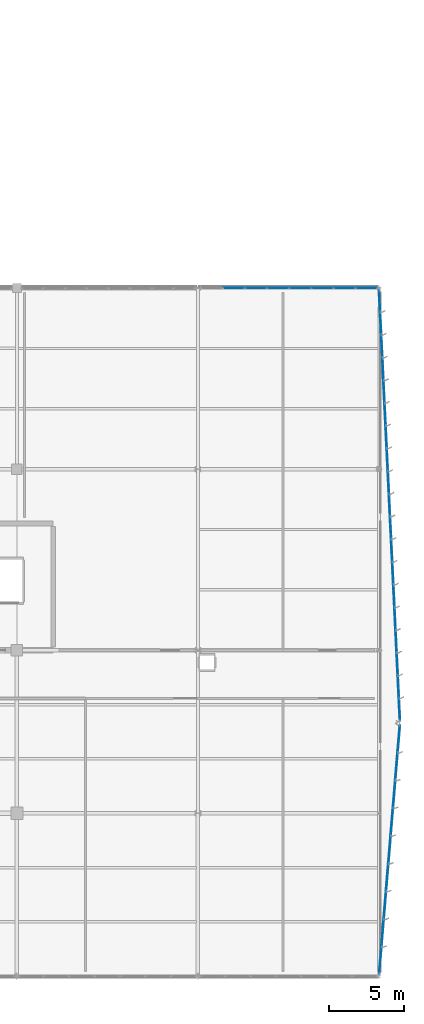
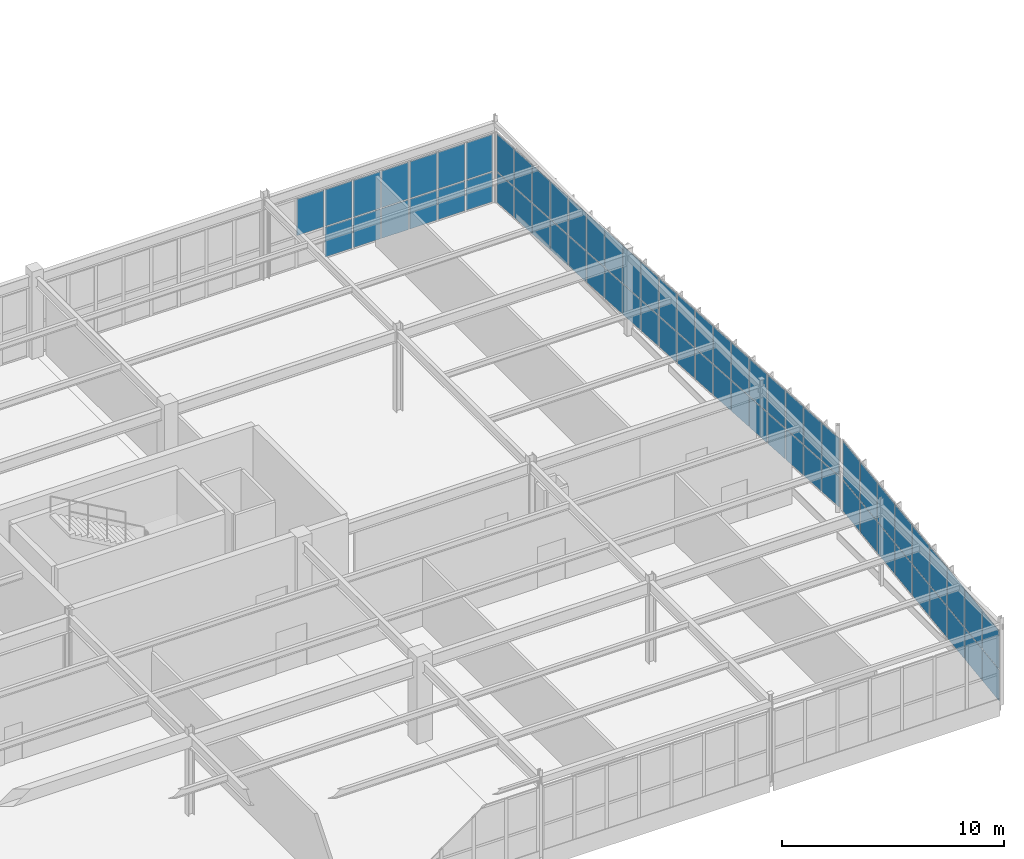
# One storey, part 147 of 226: 69 plates, 3 elements without a shape of their own.
"""IFC4 building model written with IfcOpenShell, lengths in metres."""

from ifc_helpers import new_model, si_unit, direction, frame, origin, origin_2d, place, context, subcontext, project, spatial, rectangle, extrude, material, layer, layer_set, type_object, element, aggregate, save


model = new_model("IFC4")

# Units and contexts
model_context = context("Model", 3, precision=1e-05, world=origin(), true_north=direction((0.0, 1.0)))
body_context = subcontext(model_context, "Body", "Model", "MODEL_VIEW")
ifc_project = project(units=[si_unit("LENGTHUNIT", "METRE"), si_unit("AREAUNIT", "SQUARE_METRE"), si_unit("VOLUMEUNIT", "CUBIC_METRE"), si_unit("PLANEANGLEUNIT", "RADIAN"), si_unit("MASSUNIT", "GRAM", prefix="KILO")], contexts=[model_context])

# Site, building, storey
site_placement = place(None, origin())
site = spatial("IfcSite", under=ifc_project, at=site_placement, CompositionType="ELEMENT")
building_placement = place(site_placement, origin())
building = spatial("IfcBuilding", under=site, at=building_placement, Name="Tarnwether General Hospital", CompositionType="ELEMENT")
storey_placement = place(building_placement, frame((0.0, 0.0, 4.800048828125)))
storey = spatial("IfcBuildingStorey", under=building, at=storey_placement, Name="L01", CompositionType="ELEMENT", Elevation=4.800048828125)

# Curtain wall, plates
ifc_material_1 = material(Name="Anodised aluminium", Category="aluminium")
ifc_layer_1 = layer(ifc_material_1, 0.159912109375)
ifc_layer_set_1 = layer_set([ifc_layer_1], Name="Anodised aluminium")
curtain_wall_type_1 = type_object("IfcCurtainWallType", Name="CW-18", PredefinedType="NOTDEFINED", material=ifc_layer_set_1)
curtain_wall_1_placement = place(storey_placement, origin())
curtain_wall_1 = element("IfcCurtainWall", 1, at=curtain_wall_1_placement, inside=storey, type_object=curtain_wall_type_1, Name="Curtain Wall CWG-L01-1802_456-0382", PredefinedType="NOTDEFINED")
ifc_material_2 = material(Name="Double glazed low-E glass", Category="glass")
ifc_layer_2 = layer(ifc_material_2, 0.028076171875)
ifc_layer_set_2 = layer_set([ifc_layer_2], Name="Double glazed low-E glass")
plate_type = type_object("IfcPlateType", Name="PT-CWP1", PredefinedType="CURTAIN_PANEL", material=ifc_layer_set_2)
plate_1_placement = place(storey_placement, frame((182.370849609375, 45.60009765625, 1.75244140625), z_axis=(0.0, 0.0, 1.0), x_axis=(1.0, 0.0, 0.0)))
plate_1 = element("IfcPlate", 2, at=plate_1_placement, type_object=plate_type, Name="CW-18 panel 2.2", PredefinedType="CURTAIN_PANEL", context=body_context, shape_type="SweptSolid", body=[
    extrude(rectangle(XDim=1.408447265625, YDim=0.028076171875, at=origin_2d()), origin(), (0.0, 0.0, 1.0), 2.015380859375),
])
plate_2_placement = place(storey_placement, frame((183.83935546875, 45.60009765625, 0.06005859375), z_axis=(0.0, 0.0, 1.0), x_axis=(1.0, 0.0, 0.0)))
plate_2 = element("IfcPlate", 3, at=plate_2_placement, type_object=plate_type, Name="CW-18 panel 3.1", PredefinedType="CURTAIN_PANEL", context=body_context, shape_type="SweptSolid", body=[
    extrude(rectangle(XDim=1.408447265625, YDim=0.028076171875, at=origin_2d()), origin(), (0.0, 0.0, 1.0), 1.632568359375),
])
plate_3_placement = place(storey_placement, frame((183.83935546875, 45.60009765625, 1.75244140625), z_axis=(0.0, 0.0, 1.0), x_axis=(1.0, 0.0, 0.0)))
plate_3 = element("IfcPlate", 4, at=plate_3_placement, type_object=plate_type, Name="CW-18 panel 3.2", PredefinedType="CURTAIN_PANEL", context=body_context, shape_type="SweptSolid", body=[
    extrude(rectangle(XDim=1.408447265625, YDim=0.028076171875, at=origin_2d()), origin(), (0.0, 0.0, 1.0), 2.015380859375),
])
plate_4_placement = place(storey_placement, frame((185.307861328125, 45.60009765625, 0.06005859375), z_axis=(0.0, 0.0, 1.0), x_axis=(1.0, 0.0, 0.0)))
plate_4 = element("IfcPlate", 5, at=plate_4_placement, type_object=plate_type, Name="CW-18 panel 4.1", PredefinedType="CURTAIN_PANEL", context=body_context, shape_type="SweptSolid", body=[
    extrude(rectangle(XDim=1.408447265625, YDim=0.028076171875, at=origin_2d()), origin(), (0.0, 0.0, 1.0), 1.632568359375),
])
plate_5_placement = place(storey_placement, frame((185.307861328125, 45.60009765625, 1.75244140625), z_axis=(0.0, 0.0, 1.0), x_axis=(1.0, 0.0, 0.0)))
plate_5 = element("IfcPlate", 6, at=plate_5_placement, type_object=plate_type, Name="CW-18 panel 4.2", PredefinedType="CURTAIN_PANEL", context=body_context, shape_type="SweptSolid", body=[
    extrude(rectangle(XDim=1.408447265625, YDim=0.028076171875, at=origin_2d()), origin(), (0.0, 0.0, 1.0), 2.015380859375),
])
plate_6_placement = place(storey_placement, frame((186.7763671875, 45.60009765625, 0.06005859375), z_axis=(0.0, 0.0, 1.0), x_axis=(1.0, 0.0, 0.0)))
plate_6 = element("IfcPlate", 7, at=plate_6_placement, type_object=plate_type, Name="CW-18 panel 5.1", PredefinedType="CURTAIN_PANEL", context=body_context, shape_type="SweptSolid", body=[
    extrude(rectangle(XDim=1.408447265625, YDim=0.028076171875, at=origin_2d()), origin(), (0.0, 0.0, 1.0), 1.632568359375),
])
plate_7_placement = place(storey_placement, frame((186.7763671875, 45.60009765625, 1.75244140625), z_axis=(0.0, 0.0, 1.0), x_axis=(1.0, 0.0, 0.0)))
plate_7 = element("IfcPlate", 8, at=plate_7_placement, type_object=plate_type, Name="CW-18 panel 5.2", PredefinedType="CURTAIN_PANEL", context=body_context, shape_type="SweptSolid", body=[
    extrude(rectangle(XDim=1.408447265625, YDim=0.028076171875, at=origin_2d()), origin(), (0.0, 0.0, 1.0), 2.015380859375),
])
plate_8_placement = place(storey_placement, frame((188.24462890625, 45.60009765625, 0.06005859375), z_axis=(0.0, 0.0, 1.0), x_axis=(1.0, 0.0, 0.0)))
plate_8 = element("IfcPlate", 9, at=plate_8_placement, type_object=plate_type, Name="CW-18 panel 6.1", PredefinedType="CURTAIN_PANEL", context=body_context, shape_type="SweptSolid", body=[
    extrude(rectangle(XDim=1.408447265625, YDim=0.028076171875, at=origin_2d()), origin(), (0.0, 0.0, 1.0), 1.632568359375),
])
plate_9_placement = place(storey_placement, frame((188.24462890625, 45.60009765625, 1.75244140625), z_axis=(0.0, 0.0, 1.0), x_axis=(1.0, 0.0, 0.0)))
plate_9 = element("IfcPlate", 10, at=plate_9_placement, type_object=plate_type, Name="CW-18 panel 6.2", PredefinedType="CURTAIN_PANEL", context=body_context, shape_type="SweptSolid", body=[
    extrude(rectangle(XDim=1.408447265625, YDim=0.028076171875, at=origin_2d()), origin(), (0.0, 0.0, 1.0), 2.015380859375),
])
plate_10_placement = place(storey_placement, frame((189.713134765625, 45.60009765625, 0.06005859375), z_axis=(0.0, 0.0, 1.0), x_axis=(1.0, 0.0, 0.0)))
plate_10 = element("IfcPlate", 11, at=plate_10_placement, type_object=plate_type, Name="CW-18 panel 7.1", PredefinedType="CURTAIN_PANEL", context=body_context, shape_type="SweptSolid", body=[
    extrude(rectangle(XDim=1.408447265625, YDim=0.028076171875, at=origin_2d()), origin(), (0.0, 0.0, 1.0), 1.632568359375),
])
plate_11_placement = place(storey_placement, frame((189.713134765625, 45.60009765625, 1.75244140625), z_axis=(0.0, 0.0, 1.0), x_axis=(1.0, 0.0, 0.0)))
plate_11 = element("IfcPlate", 12, at=plate_11_placement, type_object=plate_type, Name="CW-18 panel 7.2", PredefinedType="CURTAIN_PANEL", context=body_context, shape_type="SweptSolid", body=[
    extrude(rectangle(XDim=1.408447265625, YDim=0.028076171875, at=origin_2d()), origin(), (0.0, 0.0, 1.0), 2.015380859375),
])
plate_12_placement = place(storey_placement, frame((191.166748046875, 45.60009765625, 0.06005859375), z_axis=(0.0, 0.0, 1.0), x_axis=(1.0, 0.0, 0.0)))
plate_12 = element("IfcPlate", 13, at=plate_12_placement, type_object=plate_type, Name="CW-18 panel 8.1", PredefinedType="CURTAIN_PANEL", context=body_context, shape_type="SweptSolid", body=[
    extrude(rectangle(XDim=1.37841796875, YDim=0.028076171875, at=origin_2d()), origin(), (0.0, 0.0, 1.0), 1.632568359375),
])
plate_13_placement = place(storey_placement, frame((191.166748046875, 45.60009765625, 1.75244140625), z_axis=(0.0, 0.0, 1.0), x_axis=(1.0, 0.0, 0.0)))
plate_13 = element("IfcPlate", 14, at=plate_13_placement, type_object=plate_type, Name="CW-18 panel 8.2", PredefinedType="CURTAIN_PANEL", context=body_context, shape_type="SweptSolid", body=[
    extrude(rectangle(XDim=1.37841796875, YDim=0.028076171875, at=origin_2d()), origin(), (0.0, 0.0, 1.0), 2.015380859375),
])
aggregate(curtain_wall_1, [plate_1, plate_2, plate_3, plate_4, plate_5, plate_6, plate_7, plate_8, plate_9, plate_10, plate_11, plate_12, plate_13])

curtain_wall_2_placement = place(storey_placement, origin())
curtain_wall_2 = element("IfcCurtainWall", 15, at=curtain_wall_2_placement, inside=storey, type_object=curtain_wall_type_1, Name="Curtain Wall CWG-L01-1920_455-0387", PredefinedType="NOTDEFINED")
plate_14_placement = place(storey_placement, frame((192.041259765625, 44.74169921875, 0.06005859375), z_axis=(0.0, 0.0, 1.0), x_axis=(0.04856951298, -0.998819804774, 0.0)))
plate_14 = element("IfcPlate", 16, at=plate_14_placement, type_object=plate_type, Name="CW-18 panel 1.1", PredefinedType="CURTAIN_PANEL", context=body_context, shape_type="SweptSolid", body=[
    extrude(rectangle(XDim=1.416259765625, YDim=0.028076171875, at=origin_2d()), origin(), (0.0, 0.0, 1.0), 1.66357421875),
])
plate_15_placement = place(storey_placement, frame((192.041259765625, 44.74169921875, 1.78369140625), z_axis=(0.0, 0.0, 1.0), x_axis=(0.04856951298, -0.998819804774, 0.0)))
plate_15 = element("IfcPlate", 17, at=plate_15_placement, type_object=plate_type, Name="CW-18 panel 1.2", PredefinedType="CURTAIN_PANEL", context=body_context, shape_type="SweptSolid", body=[
    extrude(rectangle(XDim=1.416259765625, YDim=0.028076171875, at=origin_2d()), origin(), (0.0, 0.0, 1.0), 2.053466796875),
])
plate_16_placement = place(storey_placement, frame((192.11376953125, 43.252197265625, 0.06005859375), z_axis=(0.0, 0.0, 1.0), x_axis=(0.04856951298, -0.998819804774, 0.0)))
plate_16 = element("IfcPlate", 18, at=plate_16_placement, type_object=plate_type, Name="CW-18 panel 2.1", PredefinedType="CURTAIN_PANEL", context=body_context, shape_type="SweptSolid", body=[
    extrude(rectangle(XDim=1.4462890625, YDim=0.028076171875, at=origin_2d()), origin(), (0.0, 0.0, 1.0), 1.66357421875),
])
plate_17_placement = place(storey_placement, frame((192.11376953125, 43.252197265625, 1.78369140625), z_axis=(0.0, 0.0, 1.0), x_axis=(0.04856951298, -0.998819804774, 0.0)))
plate_17 = element("IfcPlate", 19, at=plate_17_placement, type_object=plate_type, Name="CW-18 panel 2.2", PredefinedType="CURTAIN_PANEL", context=body_context, shape_type="SweptSolid", body=[
    extrude(rectangle(XDim=1.4462890625, YDim=0.028076171875, at=origin_2d()), origin(), (0.0, 0.0, 1.0), 2.053466796875),
])
plate_18_placement = place(storey_placement, frame((192.18701171875, 41.747802734375, 0.06005859375), z_axis=(0.0, 0.0, 1.0), x_axis=(0.04856951298, -0.998819804774, 0.0)))
plate_18 = element("IfcPlate", 20, at=plate_18_placement, type_object=plate_type, Name="CW-18 panel 3.1", PredefinedType="CURTAIN_PANEL", context=body_context, shape_type="SweptSolid", body=[
    extrude(rectangle(XDim=1.4462890625, YDim=0.028076171875, at=origin_2d()), origin(), (0.0, 0.0, 1.0), 1.66357421875),
])
plate_19_placement = place(storey_placement, frame((192.18701171875, 41.747802734375, 1.78369140625), z_axis=(0.0, 0.0, 1.0), x_axis=(0.04856951298, -0.998819804774, 0.0)))
plate_19 = element("IfcPlate", 21, at=plate_19_placement, type_object=plate_type, Name="CW-18 panel 3.2", PredefinedType="CURTAIN_PANEL", context=body_context, shape_type="SweptSolid", body=[
    extrude(rectangle(XDim=1.4462890625, YDim=0.028076171875, at=origin_2d()), origin(), (0.0, 0.0, 1.0), 2.053466796875),
])
plate_20_placement = place(storey_placement, frame((192.260009765625, 40.243408203125, 0.06005859375), z_axis=(0.0, 0.0, 1.0), x_axis=(0.04856951298, -0.998819804774, 0.0)))
plate_20 = element("IfcPlate", 22, at=plate_20_placement, type_object=plate_type, Name="CW-18 panel 4.1", PredefinedType="CURTAIN_PANEL", context=body_context, shape_type="SweptSolid", body=[
    extrude(rectangle(XDim=1.4462890625, YDim=0.028076171875, at=origin_2d()), origin(), (0.0, 0.0, 1.0), 1.66357421875),
])
plate_21_placement = place(storey_placement, frame((192.260009765625, 40.243408203125, 1.78369140625), z_axis=(0.0, 0.0, 1.0), x_axis=(0.04856951298, -0.998819804774, 0.0)))
plate_21 = element("IfcPlate", 23, at=plate_21_placement, type_object=plate_type, Name="CW-18 panel 4.2", PredefinedType="CURTAIN_PANEL", context=body_context, shape_type="SweptSolid", body=[
    extrude(rectangle(XDim=1.4462890625, YDim=0.028076171875, at=origin_2d()), origin(), (0.0, 0.0, 1.0), 2.053466796875),
])
plate_22_placement = place(storey_placement, frame((192.333251953125, 38.73876953125, 0.06005859375), z_axis=(0.0, 0.0, 1.0), x_axis=(0.04856951298, -0.998819804774, 0.0)))
plate_22 = element("IfcPlate", 24, at=plate_22_placement, type_object=plate_type, Name="CW-18 panel 5.1", PredefinedType="CURTAIN_PANEL", context=body_context, shape_type="SweptSolid", body=[
    extrude(rectangle(XDim=1.4462890625, YDim=0.028076171875, at=origin_2d()), origin(), (0.0, 0.0, 1.0), 1.66357421875),
])
plate_23_placement = place(storey_placement, frame((192.333251953125, 38.73876953125, 1.78369140625), z_axis=(0.0, 0.0, 1.0), x_axis=(0.04856951298, -0.998819804774, 0.0)))
plate_23 = element("IfcPlate", 25, at=plate_23_placement, type_object=plate_type, Name="CW-18 panel 5.2", PredefinedType="CURTAIN_PANEL", context=body_context, shape_type="SweptSolid", body=[
    extrude(rectangle(XDim=1.4462890625, YDim=0.028076171875, at=origin_2d()), origin(), (0.0, 0.0, 1.0), 2.053466796875),
])
plate_24_placement = place(storey_placement, frame((192.40625, 37.234375, 0.06005859375), z_axis=(0.0, 0.0, 1.0), x_axis=(0.04856951298, -0.998819804774, 0.0)))
plate_24 = element("IfcPlate", 26, at=plate_24_placement, type_object=plate_type, Name="CW-18 panel 6.1", PredefinedType="CURTAIN_PANEL", context=body_context, shape_type="SweptSolid", body=[
    extrude(rectangle(XDim=1.4462890625, YDim=0.028076171875, at=origin_2d()), origin(), (0.0, 0.0, 1.0), 1.66357421875),
])
plate_25_placement = place(storey_placement, frame((192.40625, 37.234375, 1.78369140625), z_axis=(0.0, 0.0, 1.0), x_axis=(0.04856951298, -0.998819804774, 0.0)))
plate_25 = element("IfcPlate", 27, at=plate_25_placement, type_object=plate_type, Name="CW-18 panel 6.2", PredefinedType="CURTAIN_PANEL", context=body_context, shape_type="SweptSolid", body=[
    extrude(rectangle(XDim=1.4462890625, YDim=0.028076171875, at=origin_2d()), origin(), (0.0, 0.0, 1.0), 2.053466796875),
])
plate_26_placement = place(storey_placement, frame((192.4794921875, 35.72998046875, 0.06005859375), z_axis=(0.0, 0.0, 1.0), x_axis=(0.04856951298, -0.998819804774, 0.0)))
plate_26 = element("IfcPlate", 28, at=plate_26_placement, type_object=plate_type, Name="CW-18 panel 7.1", PredefinedType="CURTAIN_PANEL", context=body_context, shape_type="SweptSolid", body=[
    extrude(rectangle(XDim=1.4462890625, YDim=0.028076171875, at=origin_2d()), origin(), (0.0, 0.0, 1.0), 1.66357421875),
])
plate_27_placement = place(storey_placement, frame((192.4794921875, 35.72998046875, 1.78369140625), z_axis=(0.0, 0.0, 1.0), x_axis=(0.04856951298, -0.998819804774, 0.0)))
plate_27 = element("IfcPlate", 29, at=plate_27_placement, type_object=plate_type, Name="CW-18 panel 7.2", PredefinedType="CURTAIN_PANEL", context=body_context, shape_type="SweptSolid", body=[
    extrude(rectangle(XDim=1.4462890625, YDim=0.028076171875, at=origin_2d()), origin(), (0.0, 0.0, 1.0), 2.053466796875),
])
plate_28_placement = place(storey_placement, frame((192.552734375, 34.225341796875, 0.06005859375), z_axis=(0.0, 0.0, 1.0), x_axis=(0.04856951298, -0.998819804774, 0.0)))
plate_28 = element("IfcPlate", 30, at=plate_28_placement, type_object=plate_type, Name="CW-18 panel 8.1", PredefinedType="CURTAIN_PANEL", context=body_context, shape_type="SweptSolid", body=[
    extrude(rectangle(XDim=1.4462890625, YDim=0.028076171875, at=origin_2d()), origin(), (0.0, 0.0, 1.0), 1.66357421875),
])
plate_29_placement = place(storey_placement, frame((192.552734375, 34.225341796875, 1.78369140625), z_axis=(0.0, 0.0, 1.0), x_axis=(0.04856951298, -0.998819804774, 0.0)))
plate_29 = element("IfcPlate", 31, at=plate_29_placement, type_object=plate_type, Name="CW-18 panel 8.2", PredefinedType="CURTAIN_PANEL", context=body_context, shape_type="SweptSolid", body=[
    extrude(rectangle(XDim=1.4462890625, YDim=0.028076171875, at=origin_2d()), origin(), (0.0, 0.0, 1.0), 2.053466796875),
])
plate_30_placement = place(storey_placement, frame((192.625732421875, 32.720947265625, 0.06005859375), z_axis=(0.0, 0.0, 1.0), x_axis=(0.04856951298, -0.998819804774, 0.0)))
plate_30 = element("IfcPlate", 32, at=plate_30_placement, type_object=plate_type, Name="CW-18 panel 9.1", PredefinedType="CURTAIN_PANEL", context=body_context, shape_type="SweptSolid", body=[
    extrude(rectangle(XDim=1.4462890625, YDim=0.028076171875, at=origin_2d()), origin(), (0.0, 0.0, 1.0), 1.66357421875),
])
plate_31_placement = place(storey_placement, frame((192.625732421875, 32.720947265625, 1.78369140625), z_axis=(0.0, 0.0, 1.0), x_axis=(0.04856951298, -0.998819804774, 0.0)))
plate_31 = element("IfcPlate", 33, at=plate_31_placement, type_object=plate_type, Name="CW-18 panel 9.2", PredefinedType="CURTAIN_PANEL", context=body_context, shape_type="SweptSolid", body=[
    extrude(rectangle(XDim=1.4462890625, YDim=0.028076171875, at=origin_2d()), origin(), (0.0, 0.0, 1.0), 2.053466796875),
])
plate_32_placement = place(storey_placement, frame((192.698974609375, 31.216552734375, 0.06005859375), z_axis=(0.0, 0.0, 1.0), x_axis=(0.04856951298, -0.998819804774, 0.0)))
plate_32 = element("IfcPlate", 34, at=plate_32_placement, type_object=plate_type, Name="CW-18 panel 10.1", PredefinedType="CURTAIN_PANEL", context=body_context, shape_type="SweptSolid", body=[
    extrude(rectangle(XDim=1.4462890625, YDim=0.028076171875, at=origin_2d()), origin(), (0.0, 0.0, 1.0), 1.66357421875),
])
plate_33_placement = place(storey_placement, frame((192.698974609375, 31.216552734375, 1.78369140625), z_axis=(0.0, 0.0, 1.0), x_axis=(0.04856951298, -0.998819804774, 0.0)))
plate_33 = element("IfcPlate", 35, at=plate_33_placement, type_object=plate_type, Name="CW-18 panel 10.2", PredefinedType="CURTAIN_PANEL", context=body_context, shape_type="SweptSolid", body=[
    extrude(rectangle(XDim=1.4462890625, YDim=0.028076171875, at=origin_2d()), origin(), (0.0, 0.0, 1.0), 2.053466796875),
])
plate_34_placement = place(storey_placement, frame((192.772216796875, 29.7119140625, 0.06005859375), z_axis=(0.0, 0.0, 1.0), x_axis=(0.04856951298, -0.998819804774, 0.0)))
plate_34 = element("IfcPlate", 36, at=plate_34_placement, type_object=plate_type, Name="CW-18 panel 11.1", PredefinedType="CURTAIN_PANEL", context=body_context, shape_type="SweptSolid", body=[
    extrude(rectangle(XDim=1.4462890625, YDim=0.028076171875, at=origin_2d()), origin(), (0.0, 0.0, 1.0), 1.66357421875),
])
plate_35_placement = place(storey_placement, frame((192.772216796875, 29.7119140625, 1.78369140625), z_axis=(0.0, 0.0, 1.0), x_axis=(0.04856951298, -0.998819804774, 0.0)))
plate_35 = element("IfcPlate", 37, at=plate_35_placement, type_object=plate_type, Name="CW-18 panel 11.2", PredefinedType="CURTAIN_PANEL", context=body_context, shape_type="SweptSolid", body=[
    extrude(rectangle(XDim=1.4462890625, YDim=0.028076171875, at=origin_2d()), origin(), (0.0, 0.0, 1.0), 2.053466796875),
])
plate_36_placement = place(storey_placement, frame((192.84521484375, 28.20751953125, 0.06005859375), z_axis=(0.0, 0.0, 1.0), x_axis=(0.04856951298, -0.998819804774, 0.0)))
plate_36 = element("IfcPlate", 38, at=plate_36_placement, type_object=plate_type, Name="CW-18 panel 12.1", PredefinedType="CURTAIN_PANEL", context=body_context, shape_type="SweptSolid", body=[
    extrude(rectangle(XDim=1.4462890625, YDim=0.028076171875, at=origin_2d()), origin(), (0.0, 0.0, 1.0), 1.66357421875),
])
plate_37_placement = place(storey_placement, frame((192.84521484375, 28.20751953125, 1.78369140625), z_axis=(0.0, 0.0, 1.0), x_axis=(0.04856951298, -0.998819804774, 0.0)))
plate_37 = element("IfcPlate", 39, at=plate_37_placement, type_object=plate_type, Name="CW-18 panel 12.2", PredefinedType="CURTAIN_PANEL", context=body_context, shape_type="SweptSolid", body=[
    extrude(rectangle(XDim=1.4462890625, YDim=0.028076171875, at=origin_2d()), origin(), (0.0, 0.0, 1.0), 2.053466796875),
])
plate_38_placement = place(storey_placement, frame((192.91845703125, 26.703125, 0.06005859375), z_axis=(0.0, 0.0, 1.0), x_axis=(0.04856951298, -0.998819804774, 0.0)))
plate_38 = element("IfcPlate", 40, at=plate_38_placement, type_object=plate_type, Name="CW-18 panel 13.1", PredefinedType="CURTAIN_PANEL", context=body_context, shape_type="SweptSolid", body=[
    extrude(rectangle(XDim=1.4462890625, YDim=0.028076171875, at=origin_2d()), origin(), (0.0, 0.0, 1.0), 1.66357421875),
])
plate_39_placement = place(storey_placement, frame((192.91845703125, 26.703125, 1.78369140625), z_axis=(0.0, 0.0, 1.0), x_axis=(0.04856951298, -0.998819804774, 0.0)))
plate_39 = element("IfcPlate", 41, at=plate_39_placement, type_object=plate_type, Name="CW-18 panel 13.2", PredefinedType="CURTAIN_PANEL", context=body_context, shape_type="SweptSolid", body=[
    extrude(rectangle(XDim=1.4462890625, YDim=0.028076171875, at=origin_2d()), origin(), (0.0, 0.0, 1.0), 2.053466796875),
])
plate_40_placement = place(storey_placement, frame((192.99169921875, 25.198486328125, 0.06005859375), z_axis=(0.0, 0.0, 1.0), x_axis=(0.04856951298, -0.998819804774, 0.0)))
plate_40 = element("IfcPlate", 42, at=plate_40_placement, type_object=plate_type, Name="CW-18 panel 14.1", PredefinedType="CURTAIN_PANEL", context=body_context, shape_type="SweptSolid", body=[
    extrude(rectangle(XDim=1.4462890625, YDim=0.028076171875, at=origin_2d()), origin(), (0.0, 0.0, 1.0), 1.66357421875),
])
plate_41_placement = place(storey_placement, frame((192.99169921875, 25.198486328125, 1.78369140625), z_axis=(0.0, 0.0, 1.0), x_axis=(0.04856951298, -0.998819804774, 0.0)))
plate_41 = element("IfcPlate", 43, at=plate_41_placement, type_object=plate_type, Name="CW-18 panel 14.2", PredefinedType="CURTAIN_PANEL", context=body_context, shape_type="SweptSolid", body=[
    extrude(rectangle(XDim=1.4462890625, YDim=0.028076171875, at=origin_2d()), origin(), (0.0, 0.0, 1.0), 2.053466796875),
])
plate_42_placement = place(storey_placement, frame((193.064697265625, 23.694091796875, 0.06005859375), z_axis=(0.0, 0.0, 1.0), x_axis=(0.04856951298, -0.998819804774, 0.0)))
plate_42 = element("IfcPlate", 44, at=plate_42_placement, type_object=plate_type, Name="CW-18 panel 15.1", PredefinedType="CURTAIN_PANEL", context=body_context, shape_type="SweptSolid", body=[
    extrude(rectangle(XDim=1.4462890625, YDim=0.028076171875, at=origin_2d()), origin(), (0.0, 0.0, 1.0), 1.66357421875),
])
plate_43_placement = place(storey_placement, frame((193.064697265625, 23.694091796875, 1.78369140625), z_axis=(0.0, 0.0, 1.0), x_axis=(0.04856951298, -0.998819804774, 0.0)))
plate_43 = element("IfcPlate", 45, at=plate_43_placement, type_object=plate_type, Name="CW-18 panel 15.2", PredefinedType="CURTAIN_PANEL", context=body_context, shape_type="SweptSolid", body=[
    extrude(rectangle(XDim=1.4462890625, YDim=0.028076171875, at=origin_2d()), origin(), (0.0, 0.0, 1.0), 2.053466796875),
])
plate_44_placement = place(storey_placement, frame((193.137939453125, 22.189697265625, 0.06005859375), z_axis=(0.0, 0.0, 1.0), x_axis=(0.04856951298, -0.998819804774, 0.0)))
plate_44 = element("IfcPlate", 46, at=plate_44_placement, type_object=plate_type, Name="CW-18 panel 16.1", PredefinedType="CURTAIN_PANEL", context=body_context, shape_type="SweptSolid", body=[
    extrude(rectangle(XDim=1.4462890625, YDim=0.028076171875, at=origin_2d()), origin(), (0.0, 0.0, 1.0), 1.66357421875),
])
plate_45_placement = place(storey_placement, frame((193.137939453125, 22.189697265625, 1.78369140625), z_axis=(0.0, 0.0, 1.0), x_axis=(0.04856951298, -0.998819804774, 0.0)))
plate_45 = element("IfcPlate", 47, at=plate_45_placement, type_object=plate_type, Name="CW-18 panel 16.2", PredefinedType="CURTAIN_PANEL", context=body_context, shape_type="SweptSolid", body=[
    extrude(rectangle(XDim=1.4462890625, YDim=0.028076171875, at=origin_2d()), origin(), (0.0, 0.0, 1.0), 2.053466796875),
])
plate_46_placement = place(storey_placement, frame((193.211181640625, 20.685302734375, 0.06005859375), z_axis=(0.0, 0.0, 1.0), x_axis=(0.04856951298, -0.998819804774, 0.0)))
plate_46 = element("IfcPlate", 48, at=plate_46_placement, type_object=plate_type, Name="CW-18 panel 17.1", PredefinedType="CURTAIN_PANEL", context=body_context, shape_type="SweptSolid", body=[
    extrude(rectangle(XDim=1.4462890625, YDim=0.028076171875, at=origin_2d()), origin(), (0.0, 0.0, 1.0), 1.66357421875),
])
plate_47_placement = place(storey_placement, frame((193.211181640625, 20.685302734375, 1.78369140625), z_axis=(0.0, 0.0, 1.0), x_axis=(0.04856951298, -0.998819804774, 0.0)))
plate_47 = element("IfcPlate", 49, at=plate_47_placement, type_object=plate_type, Name="CW-18 panel 17.2", PredefinedType="CURTAIN_PANEL", context=body_context, shape_type="SweptSolid", body=[
    extrude(rectangle(XDim=1.4462890625, YDim=0.028076171875, at=origin_2d()), origin(), (0.0, 0.0, 1.0), 2.053466796875),
])
plate_48_placement = place(storey_placement, frame((193.2841796875, 19.1806640625, 0.06005859375), z_axis=(0.0, 0.0, 1.0), x_axis=(0.04856951298, -0.998819804774, 0.0)))
plate_48 = element("IfcPlate", 50, at=plate_48_placement, type_object=plate_type, Name="CW-18 panel 18.1", PredefinedType="CURTAIN_PANEL", context=body_context, shape_type="SweptSolid", body=[
    extrude(rectangle(XDim=1.4462890625, YDim=0.028076171875, at=origin_2d()), origin(), (0.0, 0.0, 1.0), 1.66357421875),
])
plate_49_placement = place(storey_placement, frame((193.2841796875, 19.1806640625, 1.78369140625), z_axis=(0.0, 0.0, 1.0), x_axis=(0.04856951298, -0.998819804774, 0.0)))
plate_49 = element("IfcPlate", 51, at=plate_49_placement, type_object=plate_type, Name="CW-18 panel 18.2", PredefinedType="CURTAIN_PANEL", context=body_context, shape_type="SweptSolid", body=[
    extrude(rectangle(XDim=1.4462890625, YDim=0.028076171875, at=origin_2d()), origin(), (0.0, 0.0, 1.0), 2.053466796875),
])
plate_50_placement = place(storey_placement, frame((193.356689453125, 17.691162109375, 0.06005859375), z_axis=(0.0, 0.0, 1.0), x_axis=(0.04856951298, -0.998819804774, 0.0)))
plate_50 = element("IfcPlate", 52, at=plate_50_placement, type_object=plate_type, Name="CW-18 panel 19.1", PredefinedType="CURTAIN_PANEL", context=body_context, shape_type="SweptSolid", body=[
    extrude(rectangle(XDim=1.416259765625, YDim=0.028076171875, at=origin_2d()), origin(), (0.0, 0.0, 1.0), 1.66357421875),
])
plate_51_placement = place(storey_placement, frame((193.356689453125, 17.691162109375, 1.78369140625), z_axis=(0.0, 0.0, 1.0), x_axis=(0.04856951298, -0.998819804774, 0.0)))
plate_51 = element("IfcPlate", 53, at=plate_51_placement, type_object=plate_type, Name="CW-18 panel 19.2", PredefinedType="CURTAIN_PANEL", context=body_context, shape_type="SweptSolid", body=[
    extrude(rectangle(XDim=1.416259765625, YDim=0.028076171875, at=origin_2d()), origin(), (0.0, 0.0, 1.0), 2.053466796875),
])
aggregate(curtain_wall_2, [plate_14, plate_15, plate_16, plate_17, plate_18, plate_19, plate_20, plate_21, plate_22, plate_23, plate_24, plate_25, plate_26, plate_27, plate_28, plate_29, plate_30, plate_31, plate_32, plate_33, plate_34, plate_35, plate_36, plate_37, plate_38, plate_39, plate_40, plate_41, plate_42, plate_43, plate_44, plate_45, plate_46, plate_47, plate_48, plate_49, plate_50, plate_51])

ifc_material_3 = material(Name="Anodised aluminium", Category="aluminium")
ifc_layer_3 = layer(ifc_material_3, 0.159912109375)
ifc_layer_set_3 = layer_set([ifc_layer_3], Name="Anodised aluminium")
curtain_wall_type_2 = type_object("IfcCurtainWallType", Name="CW-19", PredefinedType="NOTDEFINED", material=ifc_layer_set_3)
curtain_wall_3_placement = place(storey_placement, origin())
curtain_wall_3 = element("IfcCurtainWall", 54, at=curtain_wall_3_placement, inside=storey, type_object=curtain_wall_type_2, Name="Curtain Wall CWG-L01-1934_167-0388", PredefinedType="NOTDEFINED")
plate_52_placement = place(storey_placement, frame((193.31103515625, 15.731689453125, 0.06005859375), z_axis=(0.0, 0.0, 1.0), x_axis=(-0.083040496309, -0.996546173528, 0.0)))
plate_52 = element("IfcPlate", 55, at=plate_52_placement, type_object=plate_type, Name="CW-19 panel 1.1", PredefinedType="CURTAIN_PANEL", context=body_context, shape_type="SweptSolid", body=[
    extrude(rectangle(XDim=1.755126953125, YDim=0.028076171875, at=origin_2d()), origin(), (0.0, 0.0, 1.0), 1.69921875),
])
plate_53_placement = place(storey_placement, frame((193.31103515625, 15.731689453125, 1.819091796875), z_axis=(0.0, 0.0, 1.0), x_axis=(-0.083040496309, -0.996546173528, 0.0)))
plate_53 = element("IfcPlate", 56, at=plate_53_placement, type_object=plate_type, Name="CW-19 panel 1.2", PredefinedType="CURTAIN_PANEL", context=body_context, shape_type="SweptSolid", body=[
    extrude(rectangle(XDim=1.755126953125, YDim=0.028076171875, at=origin_2d()), origin(), (0.0, 0.0, 1.0), 2.0966796875),
])
plate_54_placement = place(storey_placement, frame((193.1591796875, 13.90771484375, 0.06005859375), z_axis=(0.0, 0.0, 1.0), x_axis=(-0.083040496309, -0.996546173528, 0.0)))
plate_54 = element("IfcPlate", 57, at=plate_54_placement, type_object=plate_type, Name="CW-19 panel 2.1", PredefinedType="CURTAIN_PANEL", context=body_context, shape_type="SweptSolid", body=[
    extrude(rectangle(XDim=1.78515625, YDim=0.028076171875, at=origin_2d()), origin(), (0.0, 0.0, 1.0), 1.69921875),
])
plate_55_placement = place(storey_placement, frame((193.1591796875, 13.90771484375, 1.819091796875), z_axis=(0.0, 0.0, 1.0), x_axis=(-0.083040496309, -0.996546173528, 0.0)))
plate_55 = element("IfcPlate", 58, at=plate_55_placement, type_object=plate_type, Name="CW-19 panel 2.2", PredefinedType="CURTAIN_PANEL", context=body_context, shape_type="SweptSolid", body=[
    extrude(rectangle(XDim=1.78515625, YDim=0.028076171875, at=origin_2d()), origin(), (0.0, 0.0, 1.0), 2.0966796875),
])
plate_56_placement = place(storey_placement, frame((193.005859375, 12.069091796875, 0.06005859375), z_axis=(0.0, 0.0, 1.0), x_axis=(-0.083040496309, -0.996546173528, 0.0)))
plate_56 = element("IfcPlate", 59, at=plate_56_placement, type_object=plate_type, Name="CW-19 panel 3.1", PredefinedType="CURTAIN_PANEL", context=body_context, shape_type="SweptSolid", body=[
    extrude(rectangle(XDim=1.78515625, YDim=0.028076171875, at=origin_2d()), origin(), (0.0, 0.0, 1.0), 1.69921875),
])
plate_57_placement = place(storey_placement, frame((193.005859375, 12.069091796875, 1.819091796875), z_axis=(0.0, 0.0, 1.0), x_axis=(-0.083040496309, -0.996546173528, 0.0)))
plate_57 = element("IfcPlate", 60, at=plate_57_placement, type_object=plate_type, Name="CW-19 panel 3.2", PredefinedType="CURTAIN_PANEL", context=body_context, shape_type="SweptSolid", body=[
    extrude(rectangle(XDim=1.78515625, YDim=0.028076171875, at=origin_2d()), origin(), (0.0, 0.0, 1.0), 2.0966796875),
])
plate_58_placement = place(storey_placement, frame((192.852783203125, 10.230224609375, 0.06005859375), z_axis=(0.0, 0.0, 1.0), x_axis=(-0.083040496309, -0.996546173528, 0.0)))
plate_58 = element("IfcPlate", 61, at=plate_58_placement, type_object=plate_type, Name="CW-19 panel 4.1", PredefinedType="CURTAIN_PANEL", context=body_context, shape_type="SweptSolid", body=[
    extrude(rectangle(XDim=1.78515625, YDim=0.028076171875, at=origin_2d()), origin(), (0.0, 0.0, 1.0), 1.69921875),
])
plate_59_placement = place(storey_placement, frame((192.852783203125, 10.230224609375, 1.819091796875), z_axis=(0.0, 0.0, 1.0), x_axis=(-0.083040496309, -0.996546173528, 0.0)))
plate_59 = element("IfcPlate", 62, at=plate_59_placement, type_object=plate_type, Name="CW-19 panel 4.2", PredefinedType="CURTAIN_PANEL", context=body_context, shape_type="SweptSolid", body=[
    extrude(rectangle(XDim=1.78515625, YDim=0.028076171875, at=origin_2d()), origin(), (0.0, 0.0, 1.0), 2.0966796875),
])
plate_60_placement = place(storey_placement, frame((192.699462890625, 8.3916015625, 0.06005859375), z_axis=(0.0, 0.0, 1.0), x_axis=(-0.083040496309, -0.996546173528, 0.0)))
plate_60 = element("IfcPlate", 63, at=plate_60_placement, type_object=plate_type, Name="CW-19 panel 5.1", PredefinedType="CURTAIN_PANEL", context=body_context, shape_type="SweptSolid", body=[
    extrude(rectangle(XDim=1.78515625, YDim=0.028076171875, at=origin_2d()), origin(), (0.0, 0.0, 1.0), 1.69921875),
])
plate_61_placement = place(storey_placement, frame((192.699462890625, 8.3916015625, 1.819091796875), z_axis=(0.0, 0.0, 1.0), x_axis=(-0.083040496309, -0.996546173528, 0.0)))
plate_61 = element("IfcPlate", 64, at=plate_61_placement, type_object=plate_type, Name="CW-19 panel 5.2", PredefinedType="CURTAIN_PANEL", context=body_context, shape_type="SweptSolid", body=[
    extrude(rectangle(XDim=1.78515625, YDim=0.028076171875, at=origin_2d()), origin(), (0.0, 0.0, 1.0), 2.0966796875),
])
plate_62_placement = place(storey_placement, frame((192.54638671875, 6.552734375, 0.06005859375), z_axis=(0.0, 0.0, 1.0), x_axis=(-0.083040496309, -0.996546173528, 0.0)))
plate_62 = element("IfcPlate", 65, at=plate_62_placement, type_object=plate_type, Name="CW-19 panel 6.1", PredefinedType="CURTAIN_PANEL", context=body_context, shape_type="SweptSolid", body=[
    extrude(rectangle(XDim=1.78515625, YDim=0.028076171875, at=origin_2d()), origin(), (0.0, 0.0, 1.0), 1.69921875),
])
plate_63_placement = place(storey_placement, frame((192.54638671875, 6.552734375, 1.819091796875), z_axis=(0.0, 0.0, 1.0), x_axis=(-0.083040496309, -0.996546173528, 0.0)))
plate_63 = element("IfcPlate", 66, at=plate_63_placement, type_object=plate_type, Name="CW-19 panel 6.2", PredefinedType="CURTAIN_PANEL", context=body_context, shape_type="SweptSolid", body=[
    extrude(rectangle(XDim=1.78515625, YDim=0.028076171875, at=origin_2d()), origin(), (0.0, 0.0, 1.0), 2.0966796875),
])
plate_64_placement = place(storey_placement, frame((192.39306640625, 4.7138671875, 0.06005859375), z_axis=(0.0, 0.0, 1.0), x_axis=(-0.083040496309, -0.996546173528, 0.0)))
plate_64 = element("IfcPlate", 67, at=plate_64_placement, type_object=plate_type, Name="CW-19 panel 7.1", PredefinedType="CURTAIN_PANEL", context=body_context, shape_type="SweptSolid", body=[
    extrude(rectangle(XDim=1.78515625, YDim=0.028076171875, at=origin_2d()), origin(), (0.0, 0.0, 1.0), 1.69921875),
])
plate_65_placement = place(storey_placement, frame((192.39306640625, 4.7138671875, 1.819091796875), z_axis=(0.0, 0.0, 1.0), x_axis=(-0.083040496309, -0.996546173528, 0.0)))
plate_65 = element("IfcPlate", 68, at=plate_65_placement, type_object=plate_type, Name="CW-19 panel 7.2", PredefinedType="CURTAIN_PANEL", context=body_context, shape_type="SweptSolid", body=[
    extrude(rectangle(XDim=1.78515625, YDim=0.028076171875, at=origin_2d()), origin(), (0.0, 0.0, 1.0), 2.0966796875),
])
plate_66_placement = place(storey_placement, frame((192.23974609375, 2.875244140625, 0.06005859375), z_axis=(0.0, 0.0, 1.0), x_axis=(-0.083040496309, -0.996546173528, 0.0)))
plate_66 = element("IfcPlate", 69, at=plate_66_placement, type_object=plate_type, Name="CW-19 panel 8.1", PredefinedType="CURTAIN_PANEL", context=body_context, shape_type="SweptSolid", body=[
    extrude(rectangle(XDim=1.78515625, YDim=0.028076171875, at=origin_2d()), origin(), (0.0, 0.0, 1.0), 1.69921875),
])
plate_67_placement = place(storey_placement, frame((192.23974609375, 2.875244140625, 1.819091796875), z_axis=(0.0, 0.0, 1.0), x_axis=(-0.083040496309, -0.996546173528, 0.0)))
plate_67 = element("IfcPlate", 70, at=plate_67_placement, type_object=plate_type, Name="CW-19 panel 8.2", PredefinedType="CURTAIN_PANEL", context=body_context, shape_type="SweptSolid", body=[
    extrude(rectangle(XDim=1.78515625, YDim=0.028076171875, at=origin_2d()), origin(), (0.0, 0.0, 1.0), 2.0966796875),
])
plate_68_placement = place(storey_placement, frame((192.087890625, 1.05126953125, 0.06005859375), z_axis=(0.0, 0.0, 1.0), x_axis=(-0.083040496309, -0.996546173528, 0.0)))
plate_68 = element("IfcPlate", 71, at=plate_68_placement, type_object=plate_type, Name="CW-19 panel 9.1", PredefinedType="CURTAIN_PANEL", context=body_context, shape_type="SweptSolid", body=[
    extrude(rectangle(XDim=1.755126953125, YDim=0.028076171875, at=origin_2d()), origin(), (0.0, 0.0, 1.0), 1.69921875),
])
plate_69_placement = place(storey_placement, frame((192.087890625, 1.05126953125, 1.819091796875), z_axis=(0.0, 0.0, 1.0), x_axis=(-0.083040496309, -0.996546173528, 0.0)))
plate_69 = element("IfcPlate", 72, at=plate_69_placement, type_object=plate_type, Name="CW-19 panel 9.2", PredefinedType="CURTAIN_PANEL", context=body_context, shape_type="SweptSolid", body=[
    extrude(rectangle(XDim=1.755126953125, YDim=0.028076171875, at=origin_2d()), origin(), (0.0, 0.0, 1.0), 2.0966796875),
])
aggregate(curtain_wall_3, [plate_52, plate_53, plate_54, plate_55, plate_56, plate_57, plate_58, plate_59, plate_60, plate_61, plate_62, plate_63, plate_64, plate_65, plate_66, plate_67, plate_68, plate_69])

save(model, "model.ifc")
